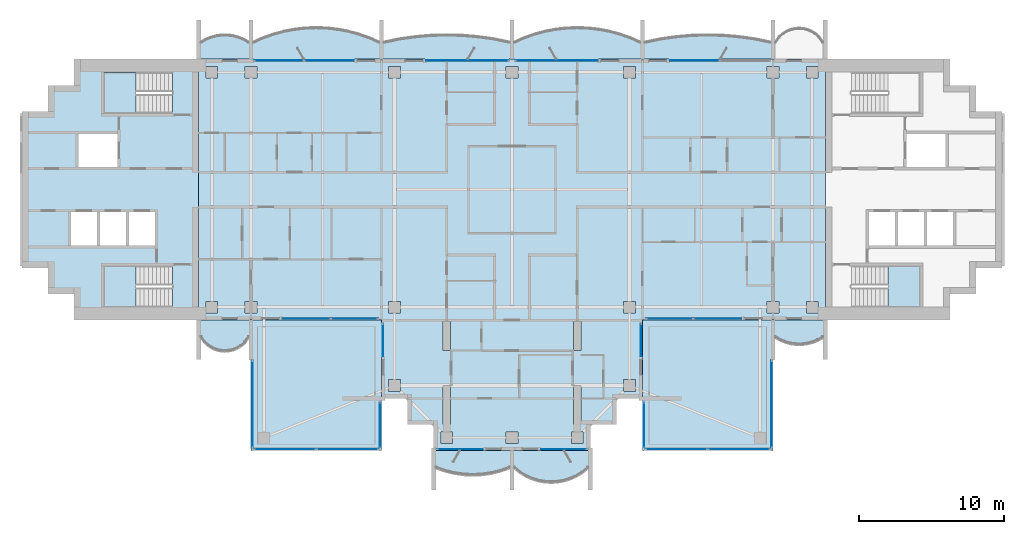
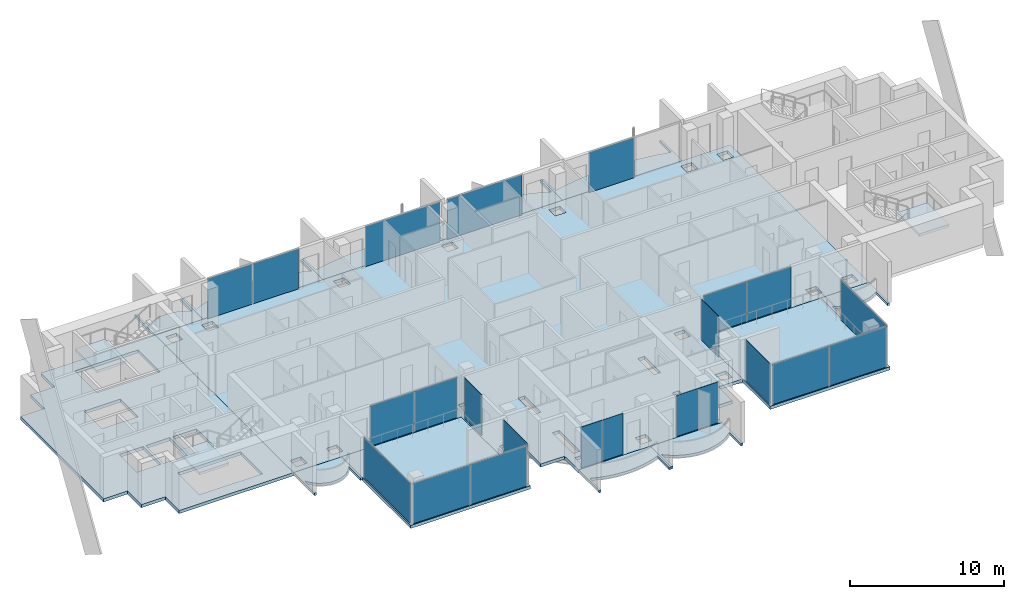
# One storey, part 5 of 16: 21 plates, 16 slabs, 19 elements without a shape of their own.
"""IFC4 building model written with IfcOpenShell, lengths in metres."""

from ifc_helpers import new_model, si_unit, direction, frame, origin, origin_2d, place, context, subcontext, project, spatial, polyline, rectangle, outline, extrude, material, layer, layer_set, type_object, element, aggregate, save


model = new_model("IFC4")

# Units and contexts
model_context = context("Model", 3, precision=1e-05, world=origin(), true_north=direction((0.0, 1.0)))
body_context = subcontext(model_context, "Body", "Model", "MODEL_VIEW")
ifc_project = project(units=[si_unit("LENGTHUNIT", "METRE"), si_unit("AREAUNIT", "SQUARE_METRE"), si_unit("VOLUMEUNIT", "CUBIC_METRE"), si_unit("PLANEANGLEUNIT", "RADIAN"), si_unit("MASSUNIT", "GRAM", prefix="KILO")], contexts=[model_context])

# Site, building, storey
site_placement = place(None, origin())
site = spatial("IfcSite", under=ifc_project, at=site_placement, CompositionType="ELEMENT")
building_placement = place(site_placement, origin())
building = spatial("IfcBuilding", under=site, at=building_placement, Name="Perihelion Cross Residences", CompositionType="ELEMENT")
storey_placement = place(building_placement, frame((0.0, 0.0, 253.5)))
storey = spatial("IfcBuildingStorey", under=building, at=storey_placement, Name="L64", CompositionType="ELEMENT", Elevation=253.5)

# Slabs
ifc_material_1 = material(Name="Concrete C40/50", Category="concrete")
ifc_layer_1 = layer(ifc_material_1, 0.199951171875)
ifc_layer_set_1 = layer_set([ifc_layer_1], Name="Balcony slab 200")
slab_type_1 = type_object("IfcSlabType", Name="Balcony slab 200", PredefinedType="FLOOR", material=ifc_layer_set_1)
slab_1_placement = place(storey_placement, frame((0.0, 0.0, -0.199951171875)))
element("IfcSlab", 1, at=slab_1_placement, inside=storey, type_object=slab_type_1, Name="Slab BK1 L64 east side north bay 2 balcony", PredefinedType="FLOOR", context=body_context, shape_type="SweptSolid", body=[
    extrude(outline(polyline([(18.0, 9.0), (9.0, 9.0), (9.0, 11.699951171875), (9.14990234375, 11.699951171875), (9.14990234375, 10.199951171875), (10.237548828125, 10.42041015625), (11.324951171875, 10.576171875), (12.41259765625, 10.669189453125), (13.5, 10.699951171875), (14.58740234375, 10.669189453125), (15.675048828125, 10.576171875), (16.762451171875, 10.42041015625), (17.85009765625, 10.199951171875), (17.85009765625, 11.699951171875), (18.0, 11.699951171875), (18.0, 9.0)])), origin(), (0.0, 0.0, 1.0), 0.199951171875),
])
slab_2_placement = place(storey_placement, frame((0.0, 0.0, -0.199951171875)))
element("IfcSlab", 2, at=slab_2_placement, inside=storey, type_object=slab_type_1, Name="Slab BK1 L64 north side east bay 1 balcony", PredefinedType="FLOOR", context=body_context, shape_type="SweptSolid", body=[
    extrude(outline(polyline([(9.0, 9.0), (0.0, 9.0), (0.0, 11.699951171875), (0.14990234375, 11.699951171875), (0.14990234375, 10.199951171875), (0.875, 10.51708984375), (1.60009765625, 10.7685546875), (2.324951171875, 10.959716796875), (3.050048828125, 11.093994140625), (3.77490234375, 11.173583984375), (4.5, 11.199951171875), (5.22509765625, 11.173583984375), (5.949951171875, 11.093994140625), (6.675048828125, 10.959716796875), (7.39990234375, 10.7685546875), (8.125, 10.51708984375), (8.85009765625, 10.199951171875), (8.85009765625, 11.699951171875), (9.0, 11.699951171875), (9.0, 9.0)])), origin(), (0.0, 0.0, 1.0), 0.199951171875),
])
slab_3_placement = place(storey_placement, frame((0.0, 0.0, -0.199951171875)))
element("IfcSlab", 3, at=slab_3_placement, inside=storey, type_object=slab_type_1, Name="Slab BK1 L64 north side east bay 2 balcony", PredefinedType="FLOOR", context=body_context, shape_type="SweptSolid", body=[
    extrude(outline(polyline([(0.0, 9.0), (-9.0, 9.0), (-9.0, 11.699951171875), (-8.85009765625, 11.699951171875), (-8.85009765625, 10.199951171875), (-7.762451171875, 10.42041015625), (-6.675048828125, 10.576171875), (-5.58740234375, 10.669189453125), (-4.5, 10.699951171875), (-3.41259765625, 10.669189453125), (-2.324951171875, 10.576171875), (-1.237548828125, 10.42041015625), (-0.14990234375, 10.199951171875), (-0.14990234375, 11.699951171875), (0.0, 11.699951171875), (0.0, 9.0)])), origin(), (0.0, 0.0, 1.0), 0.199951171875),
])
slab_4_placement = place(storey_placement, frame((0.0, 0.0, -0.199951171875)))
element("IfcSlab", 4, at=slab_4_placement, inside=storey, type_object=slab_type_1, Name="Slab BK1 L64 west side north bay 1 balcony", PredefinedType="FLOOR", context=body_context, shape_type="SweptSolid", body=[
    extrude(outline(polyline([(-9.0, 9.0), (-18.0, 9.0), (-18.0, 11.699951171875), (-17.85009765625, 11.699951171875), (-17.85009765625, 10.199951171875), (-17.125, 10.51708984375), (-16.39990234375, 10.7685546875), (-15.675048828125, 10.959716796875), (-14.949951171875, 11.093994140625), (-14.22509765625, 11.173583984375), (-13.5, 11.199951171875), (-12.77490234375, 11.173583984375), (-12.050048828125, 11.093994140625), (-11.324951171875, 10.959716796875), (-10.60009765625, 10.7685546875), (-9.875, 10.51708984375), (-9.14990234375, 10.199951171875), (-9.14990234375, 11.699951171875), (-9.0, 11.699951171875), (-9.0, 9.0)])), origin(), (0.0, 0.0, 1.0), 0.199951171875),
])
slab_5_placement = place(storey_placement, frame((0.0, 0.0, -0.199951171875)))
element("IfcSlab", 5, at=slab_5_placement, inside=storey, type_object=slab_type_1, Name="Slab BK1 L64 west side north bay 2 balcony", PredefinedType="FLOOR", context=body_context, shape_type="SweptSolid", body=[
    extrude(outline(polyline([(-18.0, 9.0), (-21.60009765625, 9.0), (-21.60009765625, 11.699951171875), (-21.449951171875, 11.699951171875), (-21.449951171875, 10.199951171875), (-21.083251953125, 10.40869140625), (-20.716552734375, 10.55517578125), (-20.35009765625, 10.648681640625), (-19.9833984375, 10.6943359375), (-19.61669921875, 10.6943359375), (-19.25, 10.648681640625), (-18.88330078125, 10.55517578125), (-18.5166015625, 10.40869140625), (-18.14990234375, 10.199951171875), (-18.14990234375, 11.699951171875), (-18.0, 11.699951171875), (-18.0, 9.0)])), origin(), (0.0, 0.0, 1.0), 0.199951171875),
])
slab_6_placement = place(storey_placement, frame((0.0, 0.0, -0.199951171875)))
element("IfcSlab", 6, at=slab_6_placement, inside=storey, type_object=slab_type_1, Name="Slab BK1 L64 west side south bay 1 balcony", PredefinedType="FLOOR", context=body_context, shape_type="SweptSolid", body=[
    extrude(outline(polyline([(-21.60009765625, -9.0), (-18.0, -9.0), (-18.0, -11.699951171875), (-18.14990234375, -11.699951171875), (-18.14990234375, -10.199951171875), (-18.425048828125, -10.568603515625), (-18.699951171875, -10.806396484375), (-18.97509765625, -10.96875), (-19.25, -11.07568359375), (-19.52490234375, -11.136962890625), (-19.800048828125, -11.156982421875), (-20.074951171875, -11.136962890625), (-20.35009765625, -11.07568359375), (-20.625, -10.96875), (-20.89990234375, -10.806396484375), (-21.175048828125, -10.568603515625), (-21.449951171875, -10.199951171875), (-21.449951171875, -11.699951171875), (-21.60009765625, -11.699951171875), (-21.60009765625, -9.0)])), origin(), (0.0, 0.0, 1.0), 0.199951171875),
])
slab_7_placement = place(storey_placement, frame((0.0, 0.0, -0.199951171875)))
element("IfcSlab", 7, at=slab_7_placement, inside=storey, type_object=slab_type_1, Name="Slab BK1 L64 south tip south bay 1 balcony", PredefinedType="FLOOR", context=body_context, shape_type="SweptSolid", body=[
    extrude(outline(polyline([(-5.39990234375, -18.0), (0.0, -18.0), (0.0, -20.699951171875), (-0.14990234375, -20.699951171875), (-0.14990234375, -19.199951171875), (-0.78759765625, -19.423583984375), (-1.425048828125, -19.57861328125), (-2.0625, -19.669921875), (-2.699951171875, -19.699951171875), (-3.33740234375, -19.669921875), (-3.97509765625, -19.57861328125), (-4.612548828125, -19.423583984375), (-5.25, -19.199951171875), (-5.25, -20.699951171875), (-5.39990234375, -20.699951171875), (-5.39990234375, -18.0)])), origin(), (0.0, 0.0, 1.0), 0.199951171875),
])
slab_8_placement = place(storey_placement, frame((0.0, 0.0, -0.199951171875)))
element("IfcSlab", 8, at=slab_8_placement, inside=storey, type_object=slab_type_1, Name="Slab BK1 L64 south tip south bay 2 balcony", PredefinedType="FLOOR", context=body_context, shape_type="SweptSolid", body=[
    extrude(outline(polyline([(0.0, -18.0), (5.39990234375, -18.0), (5.39990234375, -20.699951171875), (5.25, -20.699951171875), (5.25, -19.199951171875), (4.824951171875, -19.5400390625), (4.39990234375, -19.792724609375), (3.97509765625, -19.9765625), (3.550048828125, -20.1025390625), (3.125, -20.17578125), (2.699951171875, -20.199951171875), (2.27490234375, -20.17578125), (1.85009765625, -20.1025390625), (1.425048828125, -19.9765625), (1.0, -19.792724609375), (0.574951171875, -19.5400390625), (0.14990234375, -19.199951171875), (0.14990234375, -20.699951171875), (0.0, -20.699951171875), (0.0, -18.0)])), origin(), (0.0, 0.0, 1.0), 0.199951171875),
])
slab_9_placement = place(storey_placement, frame((0.0, 0.0, -0.199951171875)))
element("IfcSlab", 9, at=slab_9_placement, inside=storey, type_object=slab_type_1, Name="Slab BK1 L64 east side south bay 2 balcony", PredefinedType="FLOOR", context=body_context, shape_type="SweptSolid", body=[
    extrude(outline(polyline([(18.0, -9.0), (21.60009765625, -9.0), (21.60009765625, -11.699951171875), (21.449951171875, -11.699951171875), (21.449951171875, -10.199951171875), (21.083251953125, -10.40869140625), (20.716552734375, -10.55517578125), (20.35009765625, -10.648681640625), (19.9833984375, -10.6943359375), (19.61669921875, -10.6943359375), (19.25, -10.648681640625), (18.88330078125, -10.55517578125), (18.5166015625, -10.40869140625), (18.14990234375, -10.199951171875), (18.14990234375, -11.699951171875), (18.0, -11.699951171875), (18.0, -9.0)])), origin(), (0.0, 0.0, 1.0), 0.199951171875),
])

# Curtain wall, plate
ifc_material_2 = material(Name="Bronze anodised aluminium, tinted glazing", Category="aluminium")
curtain_wall_type_1 = type_object("IfcCurtainWallType", Name="CW1", PredefinedType="NOTDEFINED", material=ifc_material_2)
curtain_wall_1_placement = place(storey_placement, origin())
curtain_wall_1 = element("IfcCurtainWall", 10, at=curtain_wall_1_placement, inside=storey, type_object=curtain_wall_type_1, Name="Curtain wall CW1 L64 east side north bay 2", PredefinedType="NOTDEFINED")
ifc_material_3 = material(Name="Tinted laminated glass", Category="glass")
ifc_layer_2 = layer(ifc_material_3, 0.028076171875)
ifc_layer_set_2 = layer_set([ifc_layer_2], Name="CW1 panel")
plate_type_1 = type_object("IfcPlateType", Name="CW1 panel", PredefinedType="CURTAIN_PANEL", material=ifc_layer_set_2)
plate_1_placement = place(storey_placement, frame((12.610107421875, 8.89990234375, 0.0), z_axis=(0.0, 0.0, 1.0), x_axis=(-1.0, 0.0, 0.0)))
plate_1 = element("IfcPlate", 11, at=plate_1_placement, type_object=plate_type_1, Name="CW1 panel 2", PredefinedType="CURTAIN_PANEL", context=body_context, shape_type="SweptSolid", body=[
    extrude(rectangle(XDim=3.419921875, YDim=0.028076171875, at=origin_2d()), origin(), (0.0, 0.0, 1.0), 3.18994140625),
])
aggregate(curtain_wall_1, [plate_1])

curtain_wall_2_placement = place(storey_placement, origin())
curtain_wall_2 = element("IfcCurtainWall", 12, at=curtain_wall_2_placement, inside=storey, type_object=curtain_wall_type_1, Name="Curtain wall CW1 L64 north side east bay 1", PredefinedType="NOTDEFINED")
plate_2_placement = place(storey_placement, frame((3.080078125, 8.89990234375, 0.0), z_axis=(0.0, 0.0, 1.0), x_axis=(-1.0, 0.0, 0.0)))
plate_2 = element("IfcPlate", 13, at=plate_2_placement, type_object=plate_type_1, Name="CW1 panel 1", PredefinedType="CURTAIN_PANEL", context=body_context, shape_type="SweptSolid", body=[
    extrude(rectangle(XDim=5.639892578125, YDim=0.028076171875, at=origin_2d()), origin(), (0.0, 0.0, 1.0), 3.18994140625),
])
aggregate(curtain_wall_2, [plate_2])

curtain_wall_3_placement = place(storey_placement, origin())
curtain_wall_3 = element("IfcCurtainWall", 14, at=curtain_wall_3_placement, inside=storey, type_object=curtain_wall_type_1, Name="Curtain wall CW1 L64 north side east bay 2", PredefinedType="NOTDEFINED")
plate_3_placement = place(storey_placement, frame((-3.080078125, 8.89990234375, 0.0), z_axis=(0.0, 0.0, 1.0), x_axis=(-1.0, 0.0, 0.0)))
plate_3 = element("IfcPlate", 15, at=plate_3_placement, type_object=plate_type_1, Name="CW1 panel 1", PredefinedType="CURTAIN_PANEL", context=body_context, shape_type="SweptSolid", body=[
    extrude(rectangle(XDim=5.639892578125, YDim=0.028076171875, at=origin_2d()), origin(), (0.0, 0.0, 1.0), 3.18994140625),
])
aggregate(curtain_wall_3, [plate_3])

# Curtain wall, plates
curtain_wall_4_placement = place(storey_placement, origin())
curtain_wall_4 = element("IfcCurtainWall", 16, at=curtain_wall_4_placement, inside=storey, type_object=curtain_wall_type_1, Name="Curtain wall CW1 L64 west side north bay 1", PredefinedType="NOTDEFINED")
plate_4_placement = place(storey_placement, frame((-12.610107421875, 8.89990234375, 0.0), z_axis=(0.0, 0.0, 1.0), x_axis=(-1.0, 0.0, 0.0)))
plate_4 = element("IfcPlate", 17, at=plate_4_placement, type_object=plate_type_1, Name="CW1 panel 1", PredefinedType="CURTAIN_PANEL", context=body_context, shape_type="SweptSolid", body=[
    extrude(rectangle(XDim=3.419921875, YDim=0.028076171875, at=origin_2d()), origin(), (0.0, 0.0, 1.0), 3.18994140625),
])
plate_5_placement = place(storey_placement, frame((-16.06005859375, 8.89990234375, 0.0), z_axis=(0.0, 0.0, 1.0), x_axis=(-1.0, 0.0, 0.0)))
plate_5 = element("IfcPlate", 18, at=plate_5_placement, type_object=plate_type_1, Name="CW1 panel 2", PredefinedType="CURTAIN_PANEL", context=body_context, shape_type="SweptSolid", body=[
    extrude(rectangle(XDim=3.360107421875, YDim=0.028076171875, at=origin_2d()), origin(), (0.0, 0.0, 1.0), 3.18994140625),
])
aggregate(curtain_wall_4, [plate_4, plate_5])

curtain_wall_5_placement = place(storey_placement, origin())
curtain_wall_5 = element("IfcCurtainWall", 19, at=curtain_wall_5_placement, inside=storey, type_object=curtain_wall_type_1, Name="Curtain wall CW1 L64 west side south bay 2", PredefinedType="NOTDEFINED")
plate_6_placement = place(storey_placement, frame((-14.1650390625, -8.89990234375, 0.0), z_axis=(0.0, 0.0, 1.0), x_axis=(1.0, 0.0, 0.0)))
plate_6 = element("IfcPlate", 20, at=plate_6_placement, type_object=plate_type_1, Name="CW1 panel 1", PredefinedType="CURTAIN_PANEL", context=body_context, shape_type="SweptSolid", body=[
    extrude(rectangle(XDim=3.27001953125, YDim=0.028076171875, at=origin_2d()), origin(), (0.0, 0.0, 1.0), 3.18994140625),
])
plate_7_placement = place(storey_placement, frame((-10.864990234375, -8.89990234375, 0.0), z_axis=(0.0, 0.0, 1.0), x_axis=(1.0, 0.0, 0.0)))
plate_7 = element("IfcPlate", 21, at=plate_7_placement, type_object=plate_type_1, Name="CW1 panel 2", PredefinedType="CURTAIN_PANEL", context=body_context, shape_type="SweptSolid", body=[
    extrude(rectangle(XDim=3.2099609375, YDim=0.028076171875, at=origin_2d()), origin(), (0.0, 0.0, 1.0), 3.18994140625),
])
aggregate(curtain_wall_5, [plate_6, plate_7])

# Curtain wall, plate
curtain_wall_6_placement = place(storey_placement, origin())
curtain_wall_6 = element("IfcCurtainWall", 22, at=curtain_wall_6_placement, inside=storey, type_object=curtain_wall_type_1, Name="Curtain wall CW1 L64 south side west bay 1", PredefinedType="NOTDEFINED")
plate_8_placement = place(storey_placement, frame((-8.89990234375, -10.3798828125, 0.0), z_axis=(0.0, 0.0, 1.0), x_axis=(0.0, -1.0, 0.0)))
plate_8 = element("IfcPlate", 23, at=plate_8_placement, type_object=plate_type_1, Name="CW1 panel 1", PredefinedType="CURTAIN_PANEL", context=body_context, shape_type="SweptSolid", body=[
    extrude(rectangle(XDim=2.239990234375, YDim=0.028076171875, at=origin_2d()), origin(), (0.0, 0.0, 1.0), 3.25),
])
aggregate(curtain_wall_6, [plate_8])

curtain_wall_7_placement = place(storey_placement, origin())
curtain_wall_7 = element("IfcCurtainWall", 24, at=curtain_wall_7_placement, inside=storey, type_object=curtain_wall_type_1, Name="Curtain wall CW1 L64 south tip south bay 1", PredefinedType="NOTDEFINED")
plate_9_placement = place(storey_placement, frame((-3.570068359375, -17.89990234375, 0.0), z_axis=(0.0, 0.0, 1.0), x_axis=(1.0, 0.0, 0.0)))
plate_9 = element("IfcPlate", 25, at=plate_9_placement, type_object=plate_type_1, Name="CW1 panel 1", PredefinedType="CURTAIN_PANEL", context=body_context, shape_type="SweptSolid", body=[
    extrude(rectangle(XDim=3.139892578125, YDim=0.028076171875, at=origin_2d()), origin(), (0.0, 0.0, 1.0), 3.25),
])
aggregate(curtain_wall_7, [plate_9])

curtain_wall_8_placement = place(storey_placement, origin())
curtain_wall_8 = element("IfcCurtainWall", 26, at=curtain_wall_8_placement, inside=storey, type_object=curtain_wall_type_1, Name="Curtain wall CW1 L64 south tip south bay 2", PredefinedType="NOTDEFINED")
plate_10_placement = place(storey_placement, frame((3.570068359375, -17.89990234375, 0.0), z_axis=(0.0, 0.0, 1.0), x_axis=(1.0, 0.0, 0.0)))
plate_10 = element("IfcPlate", 27, at=plate_10_placement, type_object=plate_type_1, Name="CW1 panel 1", PredefinedType="CURTAIN_PANEL", context=body_context, shape_type="SweptSolid", body=[
    extrude(rectangle(XDim=3.139892578125, YDim=0.028076171875, at=origin_2d()), origin(), (0.0, 0.0, 1.0), 3.25),
])
aggregate(curtain_wall_8, [plate_10])

curtain_wall_9_placement = place(storey_placement, origin())
curtain_wall_9 = element("IfcCurtainWall", 28, at=curtain_wall_9_placement, inside=storey, type_object=curtain_wall_type_1, Name="Curtain wall CW1 L64 south side east bay 1", PredefinedType="NOTDEFINED")
plate_11_placement = place(storey_placement, frame((8.89990234375, -10.3798828125, 0.0), z_axis=(0.0, 0.0, 1.0), x_axis=(0.0, 1.0, 0.0)))
plate_11 = element("IfcPlate", 29, at=plate_11_placement, type_object=plate_type_1, Name="CW1 panel 1", PredefinedType="CURTAIN_PANEL", context=body_context, shape_type="SweptSolid", body=[
    extrude(rectangle(XDim=2.239990234375, YDim=0.028076171875, at=origin_2d()), origin(), (0.0, 0.0, 1.0), 3.25),
])
aggregate(curtain_wall_9, [plate_11])

# Curtain wall, plates
curtain_wall_10_placement = place(storey_placement, origin())
curtain_wall_10 = element("IfcCurtainWall", 30, at=curtain_wall_10_placement, inside=storey, type_object=curtain_wall_type_1, Name="Curtain wall CW1 L64 east side south bay 1", PredefinedType="NOTDEFINED")
plate_12_placement = place(storey_placement, frame((10.864990234375, -8.89990234375, 0.0), z_axis=(0.0, 0.0, 1.0), x_axis=(1.0, 0.0, 0.0)))
plate_12 = element("IfcPlate", 31, at=plate_12_placement, type_object=plate_type_1, Name="CW1 panel 1", PredefinedType="CURTAIN_PANEL", context=body_context, shape_type="SweptSolid", body=[
    extrude(rectangle(XDim=3.2099609375, YDim=0.028076171875, at=origin_2d()), origin(), (0.0, 0.0, 1.0), 3.18994140625),
])
plate_13_placement = place(storey_placement, frame((14.1650390625, -8.89990234375, 0.0), z_axis=(0.0, 0.0, 1.0), x_axis=(1.0, 0.0, 0.0)))
plate_13 = element("IfcPlate", 32, at=plate_13_placement, type_object=plate_type_1, Name="CW1 panel 2", PredefinedType="CURTAIN_PANEL", context=body_context, shape_type="SweptSolid", body=[
    extrude(rectangle(XDim=3.27001953125, YDim=0.028076171875, at=origin_2d()), origin(), (0.0, 0.0, 1.0), 3.18994140625),
])
aggregate(curtain_wall_10, [plate_12, plate_13])

# Curtain wall, plate
ifc_material_4 = material(Name="Bronze anodised aluminium, tinted glazing", Category="aluminium")
curtain_wall_type_2 = type_object("IfcCurtainWallType", Name="CW4", PredefinedType="NOTDEFINED", material=ifc_material_4)
curtain_wall_11_placement = place(storey_placement, origin())
curtain_wall_11 = element("IfcCurtainWall", 33, at=curtain_wall_11_placement, inside=storey, type_object=curtain_wall_type_2, Name="Curtain wall CW4 L64 pocket south-east 1 1", PredefinedType="NOTDEFINED")
ifc_material_5 = material(Name="Tinted laminated glass", Category="glass")
ifc_layer_3 = layer(ifc_material_5, 0.030029296875)
ifc_layer_set_3 = layer_set([ifc_layer_3], Name="CW4 panel")
plate_type_2 = type_object("IfcPlateType", Name="CW4 panel", PredefinedType="CURTAIN_PANEL", material=ifc_layer_set_3)
plate_14_placement = place(storey_placement, frame((17.89990234375, -14.784912109375, 0.0), z_axis=(0.0, 0.0, 1.0), x_axis=(0.0, -1.0, 0.0)))
plate_14 = element("IfcPlate", 34, at=plate_14_placement, type_object=plate_type_2, Name="CW4 panel 1", PredefinedType="CURTAIN_PANEL", context=body_context, shape_type="SweptSolid", body=[
    extrude(rectangle(XDim=5.969970703125, YDim=0.030029296875, at=origin_2d()), origin(), (0.0, 0.0, 1.0), 3.18994140625),
])
aggregate(curtain_wall_11, [plate_14])

# Curtain wall, plates
curtain_wall_12_placement = place(storey_placement, origin())
curtain_wall_12 = element("IfcCurtainWall", 35, at=curtain_wall_12_placement, inside=storey, type_object=curtain_wall_type_2, Name="Curtain wall CW4 L64 pocket south-east 1 2", PredefinedType="NOTDEFINED")
plate_15_placement = place(storey_placement, frame((15.64990234375, -17.89990234375, 0.0), z_axis=(0.0, 0.0, 1.0), x_axis=(-1.0, 0.0, 0.0)))
plate_15 = element("IfcPlate", 36, at=plate_15_placement, type_object=plate_type_2, Name="CW4 panel 1", PredefinedType="CURTAIN_PANEL", context=body_context, shape_type="SweptSolid", body=[
    extrude(rectangle(XDim=4.239990234375, YDim=0.030029296875, at=origin_2d()), origin(), (0.0, 0.0, 1.0), 3.18994140625),
])
plate_16_placement = place(storey_placement, frame((11.35009765625, -17.89990234375, 0.0), z_axis=(0.0, 0.0, 1.0), x_axis=(-1.0, 0.0, 0.0)))
plate_16 = element("IfcPlate", 37, at=plate_16_placement, type_object=plate_type_2, Name="CW4 panel 2", PredefinedType="CURTAIN_PANEL", context=body_context, shape_type="SweptSolid", body=[
    extrude(rectangle(XDim=4.239990234375, YDim=0.030029296875, at=origin_2d()), origin(), (0.0, 0.0, 1.0), 3.18994140625),
])
aggregate(curtain_wall_12, [plate_15, plate_16])

# Curtain wall, plate
curtain_wall_13_placement = place(storey_placement, origin())
curtain_wall_13 = element("IfcCurtainWall", 38, at=curtain_wall_13_placement, inside=storey, type_object=curtain_wall_type_2, Name="Curtain wall CW4 L64 pocket south-east 1 3", PredefinedType="NOTDEFINED")
plate_17_placement = place(storey_placement, frame((9.10009765625, -16.2294921875, 0.0), z_axis=(0.0, 0.0, 1.0), x_axis=(0.0, 1.0, 0.0)))
plate_17 = element("IfcPlate", 39, at=plate_17_placement, type_object=plate_type_2, Name="CW4 panel 1", PredefinedType="CURTAIN_PANEL", context=body_context, shape_type="SweptSolid", body=[
    extrude(rectangle(XDim=3.0810546875, YDim=0.030029296875, at=origin_2d()), origin(), (0.0, 0.0, 1.0), 3.25),
])
aggregate(curtain_wall_13, [plate_17])

curtain_wall_14_placement = place(storey_placement, origin())
curtain_wall_14 = element("IfcCurtainWall", 40, at=curtain_wall_14_placement, inside=storey, type_object=curtain_wall_type_2, Name="Curtain wall CW4 L64 pocket south-west 1 1", PredefinedType="NOTDEFINED")
plate_18_placement = place(storey_placement, frame((-9.10009765625, -16.2294921875, 0.0), z_axis=(0.0, 0.0, 1.0), x_axis=(0.0, -1.0, 0.0)))
plate_18 = element("IfcPlate", 41, at=plate_18_placement, type_object=plate_type_2, Name="CW4 panel 1", PredefinedType="CURTAIN_PANEL", context=body_context, shape_type="SweptSolid", body=[
    extrude(rectangle(XDim=3.0810546875, YDim=0.030029296875, at=origin_2d()), origin(), (0.0, 0.0, 1.0), 3.25),
])
aggregate(curtain_wall_14, [plate_18])

# Curtain wall, plates
curtain_wall_15_placement = place(storey_placement, origin())
curtain_wall_15 = element("IfcCurtainWall", 42, at=curtain_wall_15_placement, inside=storey, type_object=curtain_wall_type_2, Name="Curtain wall CW4 L64 pocket south-west 1 2", PredefinedType="NOTDEFINED")
plate_19_placement = place(storey_placement, frame((-11.35009765625, -17.89990234375, 0.0), z_axis=(0.0, 0.0, 1.0), x_axis=(-1.0, 0.0, 0.0)))
plate_19 = element("IfcPlate", 43, at=plate_19_placement, type_object=plate_type_2, Name="CW4 panel 1", PredefinedType="CURTAIN_PANEL", context=body_context, shape_type="SweptSolid", body=[
    extrude(rectangle(XDim=4.239990234375, YDim=0.030029296875, at=origin_2d()), origin(), (0.0, 0.0, 1.0), 3.18994140625),
])
plate_20_placement = place(storey_placement, frame((-15.64990234375, -17.89990234375, 0.0), z_axis=(0.0, 0.0, 1.0), x_axis=(-1.0, 0.0, 0.0)))
plate_20 = element("IfcPlate", 44, at=plate_20_placement, type_object=plate_type_2, Name="CW4 panel 2", PredefinedType="CURTAIN_PANEL", context=body_context, shape_type="SweptSolid", body=[
    extrude(rectangle(XDim=4.239990234375, YDim=0.030029296875, at=origin_2d()), origin(), (0.0, 0.0, 1.0), 3.18994140625),
])
aggregate(curtain_wall_15, [plate_19, plate_20])

# Curtain wall, plate
curtain_wall_16_placement = place(storey_placement, origin())
curtain_wall_16 = element("IfcCurtainWall", 45, at=curtain_wall_16_placement, inside=storey, type_object=curtain_wall_type_2, Name="Curtain wall CW4 L64 pocket south-west 1 3", PredefinedType="NOTDEFINED")
plate_21_placement = place(storey_placement, frame((-17.89990234375, -14.784912109375, 0.0), z_axis=(0.0, 0.0, 1.0), x_axis=(0.0, 1.0, 0.0)))
plate_21 = element("IfcPlate", 46, at=plate_21_placement, type_object=plate_type_2, Name="CW4 panel 1", PredefinedType="CURTAIN_PANEL", context=body_context, shape_type="SweptSolid", body=[
    extrude(rectangle(XDim=5.969970703125, YDim=0.030029296875, at=origin_2d()), origin(), (0.0, 0.0, 1.0), 3.18994140625),
])
aggregate(curtain_wall_16, [plate_21])

# Slab
ifc_material_6 = material(Name="Concrete C40/50", Category="concrete")
ifc_layer_4 = layer(ifc_material_6, 0.25)
ifc_layer_set_4 = layer_set([ifc_layer_4], Name="Core floor slab 250")
slab_type_2 = type_object("IfcSlabType", Name="Core floor slab 250", PredefinedType="FLOOR", material=ifc_layer_set_4)
slab_10_placement = place(storey_placement, frame((0.0, 0.0, -0.25)))
element("IfcSlab", 47, at=slab_10_placement, inside=storey, type_object=slab_type_2, Name="West core floor slab", PredefinedType="FLOOR", context=body_context, shape_type="SweptSolid", body=[
    extrude(outline(polyline([(-30.199951171875, 7.199951171875), (-32.0, 7.199951171875), (-32.0, 5.39990234375), (-33.800048828125, 5.39990234375), (-33.800048828125, -5.39990234375), (-32.0, -5.39990234375), (-32.0, -7.199951171875), (-30.199951171875, -7.199951171875), (-30.199951171875, -9.0), (-21.60009765625, -9.0), (-21.60009765625, 9.0), (-30.199951171875, 9.0), (-30.199951171875, 7.199951171875)]), holes=[polyline([(-28.14990234375, -8.10009765625), (-28.14990234375, -5.25), (-23.405029296875, -5.25), (-23.405029296875, -8.10009765625), (-28.14990234375, -8.10009765625)]), polyline([(-24.60009765625, -1.550048828125), (-24.60009765625, -3.85009765625), (-26.39990234375, -3.85009765625), (-26.39990234375, -1.550048828125), (-24.60009765625, -1.550048828125)]), polyline([(-26.60009765625, -1.550048828125), (-26.60009765625, -3.85009765625), (-28.39990234375, -3.85009765625), (-28.39990234375, -1.550048828125), (-26.60009765625, -1.550048828125)]), polyline([(-28.60009765625, -3.85009765625), (-30.39990234375, -3.85009765625), (-30.39990234375, -1.550048828125), (-28.60009765625, -1.550048828125), (-28.60009765625, -3.85009765625)]), polyline([(-27.199951171875, 3.85009765625), (-27.199951171875, 1.550048828125), (-29.89990234375, 1.550048828125), (-29.89990234375, 3.85009765625), (-27.199951171875, 3.85009765625)]), polyline([(-23.405029296875, 5.25), (-28.14990234375, 5.25), (-28.14990234375, 8.10009765625), (-23.405029296875, 8.10009765625), (-23.405029296875, 5.25)])]), origin(), (0.0, 0.0, 1.0), 0.25),
])

# Stair, slab
ifc_material_7 = material(Name="Concrete C40/50", Category="concrete")
stair_type = type_object("IfcStairType", Name="Exit stair, half-turn", PredefinedType="HALF_TURN_STAIR", material=ifc_material_7)
stair_1_placement = place(storey_placement, origin())
stair_1 = element("IfcStair", 48, at=stair_1_placement, inside=storey, type_object=stair_type, Name="L64 East core exit stair 2", PredefinedType="HALF_TURN_STAIR")
ifc_material_8 = material(Name="Concrete C40/50", Category="concrete")
ifc_layer_5 = layer(ifc_material_8, 0.199951171875)
ifc_layer_set_5 = layer_set([ifc_layer_5], Name="Exit stair landing 200")
slab_type_3 = type_object("IfcSlabType", Name="Exit stair landing 200", PredefinedType="LANDING", material=ifc_layer_set_5)
slab_11_placement = place(storey_placement, frame((0.0, 0.0, 1.550048828125)))
slab_11 = element("IfcSlab", 49, at=slab_11_placement, type_object=slab_type_3, Name="ST-E2 landing 1", PredefinedType="LANDING", context=body_context, shape_type="SweptSolid", body=[
    extrude(outline(polyline([(25.919921875, -8.10009765625), (28.14990234375, -8.10009765625), (28.14990234375, -5.25), (25.919921875, -5.25), (25.919921875, -8.10009765625)])), origin(), (0.0, 0.0, 1.0), 0.199951171875),
])
aggregate(stair_1, [slab_11])

stair_2_placement = place(storey_placement, origin())
stair_2 = element("IfcStair", 50, at=stair_2_placement, inside=storey, type_object=stair_type, Name="L64 West core exit stair 1", PredefinedType="HALF_TURN_STAIR")
slab_12_placement = place(storey_placement, frame((0.0, 0.0, 1.550048828125)))
slab_12 = element("IfcSlab", 51, at=slab_12_placement, type_object=slab_type_3, Name="ST-W1 landing 1", PredefinedType="LANDING", context=body_context, shape_type="SweptSolid", body=[
    extrude(outline(polyline([(-25.919921875, 8.10009765625), (-28.14990234375, 8.10009765625), (-28.14990234375, 5.25), (-25.919921875, 5.25), (-25.919921875, 8.10009765625)])), origin(), (0.0, 0.0, 1.0), 0.199951171875),
])
aggregate(stair_2, [slab_12])

stair_3_placement = place(storey_placement, origin())
stair_3 = element("IfcStair", 52, at=stair_3_placement, inside=storey, type_object=stair_type, Name="L64 West core exit stair 2", PredefinedType="HALF_TURN_STAIR")
slab_13_placement = place(storey_placement, frame((0.0, 0.0, 1.550048828125)))
slab_13 = element("IfcSlab", 53, at=slab_13_placement, type_object=slab_type_3, Name="ST-W2 landing 1", PredefinedType="LANDING", context=body_context, shape_type="SweptSolid", body=[
    extrude(outline(polyline([(-25.919921875, -5.25), (-28.14990234375, -5.25), (-28.14990234375, -8.10009765625), (-25.919921875, -8.10009765625), (-25.919921875, -5.25)])), origin(), (0.0, 0.0, 1.0), 0.199951171875),
])
aggregate(stair_3, [slab_13])

# Slabs
ifc_material_9 = material(Name="Concrete C50/60", Category="concrete")
ifc_layer_6 = layer(ifc_material_9, 0.25)
ifc_layer_set_6 = layer_set([ifc_layer_6], Name="Residential floor post-tensioned slab concrete C50/60")
slab_type_4 = type_object("IfcSlabType", Name="Residential floor post-tensioned slab concrete C50/60", PredefinedType="FLOOR", material=ifc_layer_set_6)
slab_14_placement = place(storey_placement, frame((0.0, 0.0, -0.25)))
element("IfcSlab", 54, at=slab_14_placement, inside=storey, type_object=slab_type_4, Name="Slab SL8 L64 1 no. 1", PredefinedType="FLOOR", context=body_context, shape_type="SweptSolid", body=[
    extrude(outline(polyline([(-9.0, 9.0), (9.0, 9.0), (21.60009765625, 9.0), (21.60009765625, -9.0), (9.0, -9.0), (9.0, -14.39990234375), (7.199951171875, -14.39990234375), (7.199951171875, -16.199951171875), (5.39990234375, -16.199951171875), (5.39990234375, -18.0), (-5.39990234375, -18.0), (-5.39990234375, -16.199951171875), (-7.199951171875, -16.199951171875), (-7.199951171875, -14.39990234375), (-9.0, -14.39990234375), (-9.0, -9.0), (-21.60009765625, -9.0), (-21.60009765625, 9.0), (-9.0, 9.0)]), holes=[polyline([(-4.10009765625, -16.699951171875), (-4.89990234375, -16.699951171875), (-4.89990234375, -17.5), (-4.10009765625, -17.5), (-4.10009765625, -16.699951171875)]), polyline([(0.39990234375, -17.5), (0.39990234375, -16.699951171875), (-0.39990234375, -16.699951171875), (-0.39990234375, -17.5), (0.39990234375, -17.5)]), polyline([(-4.25, -16.199951171875), (-4.25, -13.5), (-4.75, -13.5), (-4.75, -16.199951171875), (-4.25, -16.199951171875)]), polyline([(-7.699951171875, -13.10009765625), (-8.5, -13.10009765625), (-8.5, -13.89990234375), (-7.699951171875, -13.89990234375), (-7.699951171875, -13.10009765625)]), polyline([(-4.25, -11.10009765625), (-4.25, -9.0), (-4.75, -9.0), (-4.75, -11.10009765625), (-4.25, -11.10009765625)]), polyline([(-20.300048828125, -8.5), (-20.300048828125, -7.699951171875), (-21.10009765625, -7.699951171875), (-21.10009765625, -8.5), (-20.300048828125, -8.5)]), polyline([(-17.60009765625, -7.699951171875), (-18.39990234375, -7.699951171875), (-18.39990234375, -8.5), (-17.60009765625, -8.5), (-17.60009765625, -7.699951171875)]), polyline([(-7.699951171875, -8.5), (-7.699951171875, -7.699951171875), (-8.5, -7.699951171875), (-8.5, -8.5), (-7.699951171875, -8.5)]), polyline([(-20.300048828125, 8.5), (-21.10009765625, 8.5), (-21.10009765625, 7.699951171875), (-20.300048828125, 7.699951171875), (-20.300048828125, 8.5)]), polyline([(-17.60009765625, 7.699951171875), (-17.60009765625, 8.5), (-18.39990234375, 8.5), (-18.39990234375, 7.699951171875), (-17.60009765625, 7.699951171875)]), polyline([(-7.699951171875, 7.699951171875), (-7.699951171875, 8.5), (-8.5, 8.5), (-8.5, 7.699951171875), (-7.699951171875, 7.699951171875)]), polyline([(4.89990234375, -16.699951171875), (4.10009765625, -16.699951171875), (4.10009765625, -17.5), (4.89990234375, -17.5), (4.89990234375, -16.699951171875)]), polyline([(4.75, -16.199951171875), (4.75, -13.5), (4.25, -13.5), (4.25, -16.199951171875), (4.75, -16.199951171875)]), polyline([(8.5, -13.89990234375), (8.5, -13.10009765625), (7.699951171875, -13.10009765625), (7.699951171875, -13.89990234375), (8.5, -13.89990234375)]), polyline([(4.75, -9.0), (4.25, -9.0), (4.25, -11.10009765625), (4.75, -11.10009765625), (4.75, -9.0)]), polyline([(8.5, -8.5), (8.5, -7.699951171875), (7.699951171875, -7.699951171875), (7.699951171875, -8.5), (8.5, -8.5)]), polyline([(18.39990234375, -8.5), (18.39990234375, -7.699951171875), (17.60009765625, -7.699951171875), (17.60009765625, -8.5), (18.39990234375, -8.5)]), polyline([(21.10009765625, -7.699951171875), (20.300048828125, -7.699951171875), (20.300048828125, -8.5), (21.10009765625, -8.5), (21.10009765625, -7.699951171875)]), polyline([(0.39990234375, 7.699951171875), (0.39990234375, 8.5), (-0.39990234375, 8.5), (-0.39990234375, 7.699951171875), (0.39990234375, 7.699951171875)]), polyline([(8.5, 8.5), (7.699951171875, 8.5), (7.699951171875, 7.699951171875), (8.5, 7.699951171875), (8.5, 8.5)]), polyline([(18.39990234375, 7.699951171875), (18.39990234375, 8.5), (17.60009765625, 8.5), (17.60009765625, 7.699951171875), (18.39990234375, 7.699951171875)]), polyline([(21.10009765625, 7.699951171875), (21.10009765625, 8.5), (20.300048828125, 8.5), (20.300048828125, 7.699951171875), (21.10009765625, 7.699951171875)])]), origin(), (0.0, 0.0, 1.0), 0.25),
])
ifc_material_10 = material(Name="Concrete C40/50", Category="concrete")
ifc_layer_7 = layer(ifc_material_10, 0.25)
ifc_layer_set_7 = layer_set([ifc_layer_7], Name="Winter garden slab")
slab_type_5 = type_object("IfcSlabType", Name="Winter garden slab", PredefinedType="FLOOR", material=ifc_layer_set_7)
slab_15_placement = place(storey_placement, frame((0.0, 0.0, -0.25)))
element("IfcSlab", 55, at=slab_15_placement, inside=storey, type_object=slab_type_5, Name="Slab BK3 L64 pocket south-west", PredefinedType="FLOOR", context=body_context, shape_type="SweptSolid", body=[
    extrude(outline(polyline([(-9.0, -18.0), (-9.0, -9.0), (-18.0, -9.0), (-18.0, -18.0), (-9.0, -18.0)])), origin(), (0.0, 0.0, 1.0), 0.25),
])
slab_16_placement = place(storey_placement, frame((0.0, 0.0, -0.25)))
element("IfcSlab", 56, at=slab_16_placement, inside=storey, type_object=slab_type_5, Name="Slab BK3 L64 pocket south-east", PredefinedType="FLOOR", context=body_context, shape_type="SweptSolid", body=[
    extrude(outline(polyline([(18.0, -18.0), (18.0, -9.0), (9.0, -9.0), (9.0, -18.0), (18.0, -18.0)])), origin(), (0.0, 0.0, 1.0), 0.25),
])

save(model, "model.ifc")
